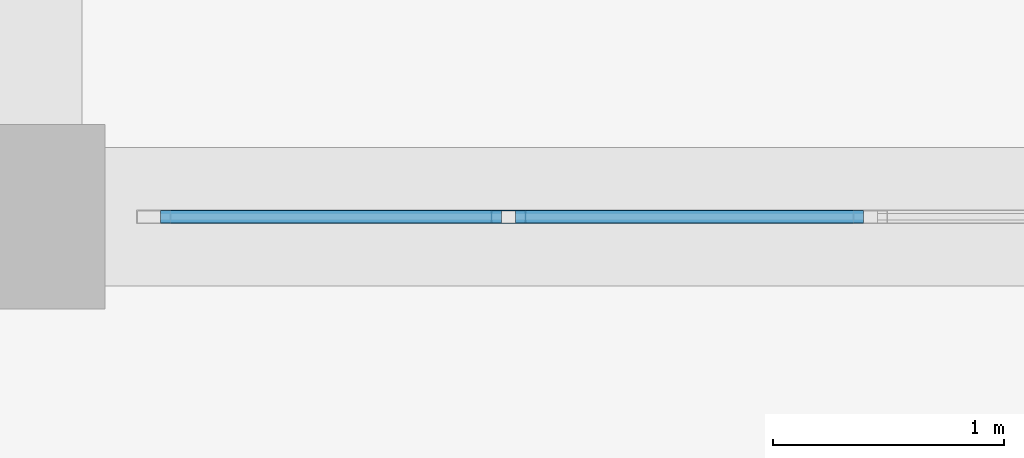
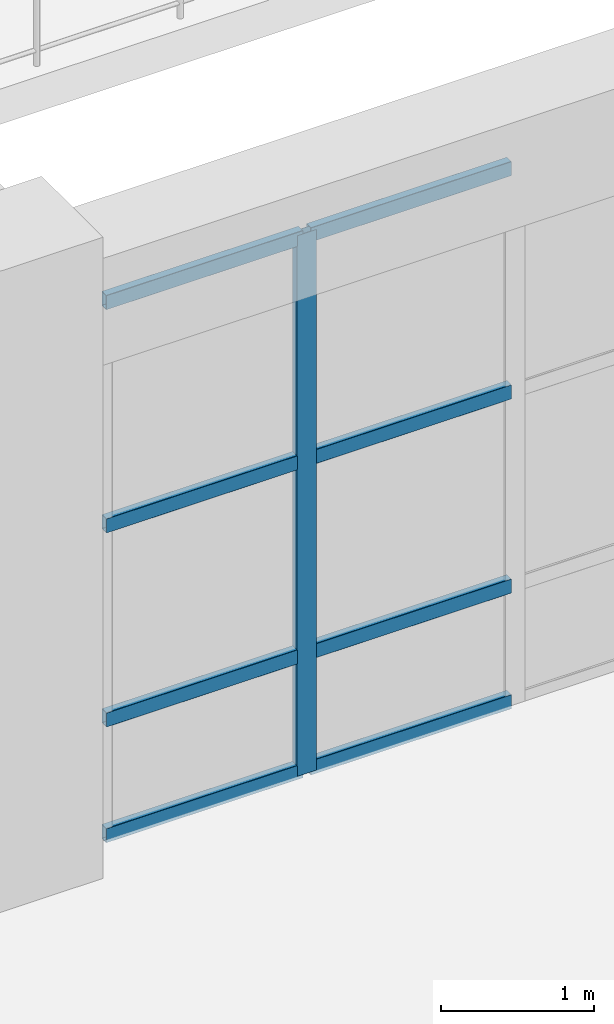
# One storey, part 63 of 128: 9 members, 1 element without a shape of its own.
"""IFC4 building model written with IfcOpenShell, lengths in metres."""

from ifc_helpers import new_model, si_unit, direction, frame, origin, origin_2d, place, context, subcontext, project, spatial, hollow_rectangle, extrude, material, material_profile, profile_set, type_object, element, aggregate, save


model = new_model("IFC4")

# Units and contexts
model_context = context("Model", 3, precision=1e-05, world=origin(), true_north=direction((0.0, 1.0)))
body_context = subcontext(model_context, "Body", "Model", "MODEL_VIEW")
ifc_project = project(units=[si_unit("LENGTHUNIT", "METRE"), si_unit("AREAUNIT", "SQUARE_METRE"), si_unit("VOLUMEUNIT", "CUBIC_METRE"), si_unit("PLANEANGLEUNIT", "RADIAN"), si_unit("MASSUNIT", "GRAM", prefix="KILO")], contexts=[model_context])

# Site, building, storey
site_placement = place(None, origin())
site = spatial("IfcSite", under=ifc_project, at=site_placement, CompositionType="ELEMENT")
building_placement = place(site_placement, origin())
building = spatial("IfcBuilding", under=site, at=building_placement, Name="Miravela Opera House", CompositionType="ELEMENT")
storey_placement = place(building_placement, origin())
storey = spatial("IfcBuildingStorey", under=building, at=storey_placement, Name="L00", CompositionType="ELEMENT", Elevation=0.0)

# Curtain wall, members
ifc_material = material(Name="Anodised architectural bronze aluminium 6063-T6", Category="aluminium")
curtain_wall_type = type_object("IfcCurtainWallType", Name="ARC-CW-04", PredefinedType="NOTDEFINED", material=ifc_material)
curtain_wall_placement = place(storey_placement, origin())
curtain_wall = element("IfcCurtainWall", 1, at=curtain_wall_placement, inside=storey, type_object=curtain_wall_type, Name="Courtyard Arcade Curtain Wall CW-L00-073", PredefinedType="NOTDEFINED")
ifc_material_profile_1 = material_profile(ifc_material, hollow_rectangle(XDim=0.06005859375, YDim=0.14990234375, WallThickness=0.00390625, InnerFilletRadius=0.001953125, OuterFilletRadius=0.00390625, at=origin_2d()), Name="CWM-60X150")
ifc_profile_set_1 = profile_set([ifc_material_profile_1])
member_type_1 = type_object("IfcMemberType", Name="ARC-CWM-150", PredefinedType="MULLION", material=ifc_profile_set_1)
member_1_placement = place(storey_placement, frame((47.14794921875, 103.0, 0.0), z_axis=(0.0, 0.0, 1.0), x_axis=(0.0, 1.0, 0.0)))
member_1 = element("IfcMember", 2, at=member_1_placement, type_object=member_type_1, Name="CW-04 mullion 2", PredefinedType="MULLION", context=body_context, shape_type="SweptSolid", body=[
    extrude(hollow_rectangle(XDim=0.06005859375, YDim=0.14990234375, WallThickness=0.00390625, InnerFilletRadius=0.001953125, OuterFilletRadius=0.00390625, at=origin_2d()), origin(), (0.0, 0.0, 1.0), 4.300048828125),
])
ifc_material_profile_2 = material_profile(ifc_material, hollow_rectangle(XDim=0.06005859375, YDim=0.114990234375, WallThickness=0.00390625, InnerFilletRadius=0.001953125, OuterFilletRadius=0.00390625, at=origin_2d()), Name="CWT-60X115")
ifc_profile_set_2 = profile_set([ifc_material_profile_2])
member_type_2 = type_object("IfcMemberType", Name="ARC-CWT-115", PredefinedType="USERDEFINED", material=ifc_profile_set_2)
member_2_placement = place(storey_placement, frame((45.639892578125, 103.0, 0.030029296875), z_axis=(1.0, 0.0, 0.0), x_axis=(0.0, 1.0, 0.0)))
member_2 = element("IfcMember", 3, at=member_2_placement, type_object=member_type_2, Name="CW-04 transom 1.1", ObjectType="TRANSOM", PredefinedType="USERDEFINED", context=body_context, shape_type="SweptSolid", body=[
    extrude(hollow_rectangle(XDim=0.06005859375, YDim=0.114990234375, WallThickness=0.00390625, InnerFilletRadius=0.001953125, OuterFilletRadius=0.00390625, at=origin_2d()), origin(), (0.0, 0.0, 1.0), 1.47802734375),
])
member_3_placement = place(storey_placement, frame((45.639892578125, 103.0, 0.949951171875), z_axis=(1.0, 0.0, 0.0), x_axis=(0.0, 1.0, 0.0)))
member_3 = element("IfcMember", 4, at=member_3_placement, type_object=member_type_2, Name="CW-04 transom 1.2", ObjectType="TRANSOM", PredefinedType="USERDEFINED", context=body_context, shape_type="SweptSolid", body=[
    extrude(hollow_rectangle(XDim=0.06005859375, YDim=0.114990234375, WallThickness=0.00390625, InnerFilletRadius=0.001953125, OuterFilletRadius=0.00390625, at=origin_2d()), origin(), (0.0, 0.0, 1.0), 1.47802734375),
])
member_4_placement = place(storey_placement, frame((45.639892578125, 103.0, 2.493896484375), z_axis=(1.0, 0.0, 0.0), x_axis=(0.0, 1.0, 0.0)))
member_4 = element("IfcMember", 5, at=member_4_placement, type_object=member_type_2, Name="CW-04 transom 1.3", ObjectType="TRANSOM", PredefinedType="USERDEFINED", context=body_context, shape_type="SweptSolid", body=[
    extrude(hollow_rectangle(XDim=0.06005859375, YDim=0.114990234375, WallThickness=0.00390625, InnerFilletRadius=0.001953125, OuterFilletRadius=0.00390625, at=origin_2d()), origin(), (0.0, 0.0, 1.0), 1.47802734375),
])
member_5_placement = place(storey_placement, frame((45.639892578125, 103.0, 4.27001953125), z_axis=(1.0, 0.0, 0.0), x_axis=(0.0, 1.0, 0.0)))
member_5 = element("IfcMember", 6, at=member_5_placement, type_object=member_type_2, Name="CW-04 transom 1.4", ObjectType="TRANSOM", PredefinedType="USERDEFINED", context=body_context, shape_type="SweptSolid", body=[
    extrude(hollow_rectangle(XDim=0.06005859375, YDim=0.114990234375, WallThickness=0.00390625, InnerFilletRadius=0.001953125, OuterFilletRadius=0.00390625, at=origin_2d()), origin(), (0.0, 0.0, 1.0), 1.47802734375),
])
member_6_placement = place(storey_placement, frame((47.177978515625, 103.0, 0.030029296875), z_axis=(1.0, 0.0, 0.0), x_axis=(0.0, 1.0, 0.0)))
member_6 = element("IfcMember", 7, at=member_6_placement, type_object=member_type_2, Name="CW-04 transom 2.1", ObjectType="TRANSOM", PredefinedType="USERDEFINED", context=body_context, shape_type="SweptSolid", body=[
    extrude(hollow_rectangle(XDim=0.06005859375, YDim=0.114990234375, WallThickness=0.00390625, InnerFilletRadius=0.001953125, OuterFilletRadius=0.00390625, at=origin_2d()), origin(), (0.0, 0.0, 1.0), 1.508056640625),
])
member_7_placement = place(storey_placement, frame((47.177978515625, 103.0, 0.949951171875), z_axis=(1.0, 0.0, 0.0), x_axis=(0.0, 1.0, 0.0)))
member_7 = element("IfcMember", 8, at=member_7_placement, type_object=member_type_2, Name="CW-04 transom 2.2", ObjectType="TRANSOM", PredefinedType="USERDEFINED", context=body_context, shape_type="SweptSolid", body=[
    extrude(hollow_rectangle(XDim=0.06005859375, YDim=0.114990234375, WallThickness=0.00390625, InnerFilletRadius=0.001953125, OuterFilletRadius=0.00390625, at=origin_2d()), origin(), (0.0, 0.0, 1.0), 1.508056640625),
])
member_8_placement = place(storey_placement, frame((47.177978515625, 103.0, 2.493896484375), z_axis=(1.0, 0.0, 0.0), x_axis=(0.0, 1.0, 0.0)))
member_8 = element("IfcMember", 9, at=member_8_placement, type_object=member_type_2, Name="CW-04 transom 2.3", ObjectType="TRANSOM", PredefinedType="USERDEFINED", context=body_context, shape_type="SweptSolid", body=[
    extrude(hollow_rectangle(XDim=0.06005859375, YDim=0.114990234375, WallThickness=0.00390625, InnerFilletRadius=0.001953125, OuterFilletRadius=0.00390625, at=origin_2d()), origin(), (0.0, 0.0, 1.0), 1.508056640625),
])
member_9_placement = place(storey_placement, frame((47.177978515625, 103.0, 4.27001953125), z_axis=(1.0, 0.0, 0.0), x_axis=(0.0, 1.0, 0.0)))
member_9 = element("IfcMember", 10, at=member_9_placement, type_object=member_type_2, Name="CW-04 transom 2.4", ObjectType="TRANSOM", PredefinedType="USERDEFINED", context=body_context, shape_type="SweptSolid", body=[
    extrude(hollow_rectangle(XDim=0.06005859375, YDim=0.114990234375, WallThickness=0.00390625, InnerFilletRadius=0.001953125, OuterFilletRadius=0.00390625, at=origin_2d()), origin(), (0.0, 0.0, 1.0), 1.508056640625),
])
aggregate(curtain_wall, [member_1, member_2, member_3, member_4, member_5, member_6, member_7, member_8, member_9])

save(model, "model.ifc")
